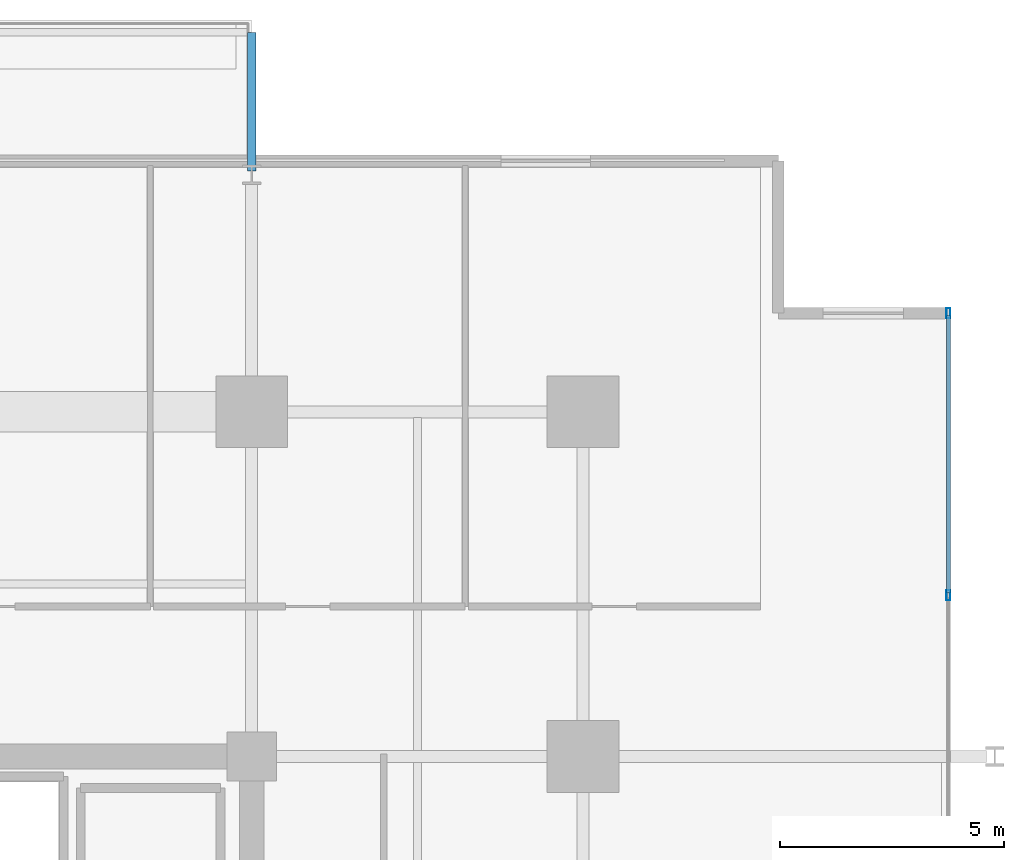
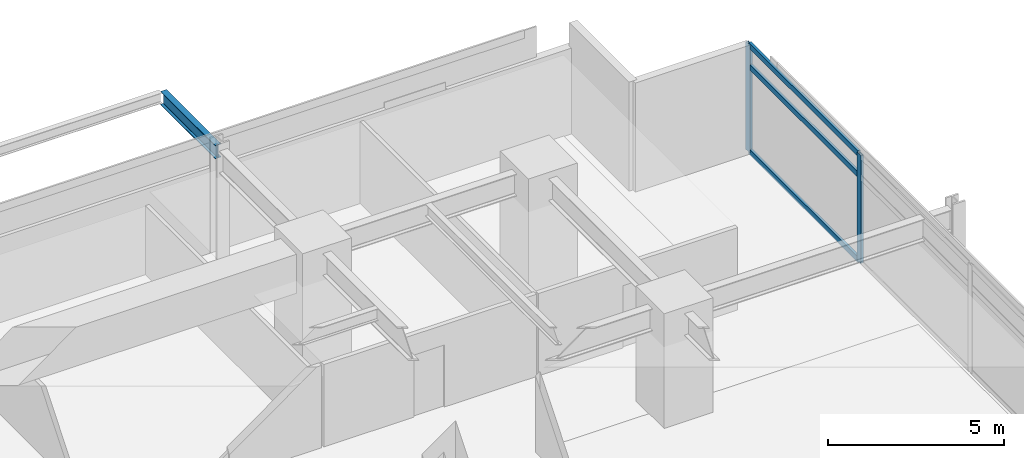
# One storey, part 13 of 23: 5 members, 1 beam, 1 element without a shape of its own.
"""IFC4 building model written with IfcOpenShell, lengths in metres."""

from ifc_helpers import new_model, si_unit, direction, frame, origin, origin_2d, place, context, subcontext, project, spatial, hollow_rectangle, i_section, extrude, material, material_profile, profile_set, type_object, element, aggregate, save


model = new_model("IFC4")

# Units and contexts
model_context = context("Model", 3, precision=1e-05, world=origin(), true_north=direction((0.0, 1.0)))
body_context = subcontext(model_context, "Body", "Model", "MODEL_VIEW")
ifc_project = project(units=[si_unit("LENGTHUNIT", "METRE"), si_unit("AREAUNIT", "SQUARE_METRE"), si_unit("VOLUMEUNIT", "CUBIC_METRE"), si_unit("PLANEANGLEUNIT", "RADIAN"), si_unit("MASSUNIT", "GRAM", prefix="KILO")], contexts=[model_context])

# Site, building, storey
site_placement = place(None, origin())
site = spatial("IfcSite", under=ifc_project, at=site_placement, CompositionType="ELEMENT")
building_placement = place(site_placement, origin())
building = spatial("IfcBuilding", under=site, at=building_placement, Name="Kovane Verandah Tower", CompositionType="ELEMENT")
storey_placement = place(building_placement, frame((0.0, 0.0, 148.39990234375)))
storey = spatial("IfcBuildingStorey", under=building, at=storey_placement, Name="L34", CompositionType="ELEMENT", Elevation=148.39990234375)

# Curtain wall, members
ifc_material_1 = material(Name="Champagne Anodised Aluminium Frame with Low-E Clear Laminated Glass", Category="aluminium")
curtain_wall_type = type_object("IfcCurtainWallType", Name="CW-SYS-03-MID", PredefinedType="NOTDEFINED", material=ifc_material_1)
curtain_wall_placement = place(storey_placement, origin())
curtain_wall = element("IfcCurtainWall", 1, at=curtain_wall_placement, inside=storey, type_object=curtain_wall_type, Name="L34 E Unitised Curtain Wall", PredefinedType="NOTDEFINED")
ifc_material_2 = material(Name="Champagne Anodised Aluminium 6063-T6", Category="aluminium")
ifc_material_profile_1 = material_profile(ifc_material_2, hollow_rectangle(XDim=0.0849609375, YDim=0.22998046875, WallThickness=0.00390625, at=origin_2d()), Name="AL85x230x4")
ifc_profile_set_1 = profile_set([ifc_material_profile_1], Name="Champagne Anodised Aluminium 6063-T6")
member_type_1 = type_object("IfcMemberType", Name="CW-MUL-85x230", PredefinedType="MULLION", material=ifc_profile_set_1)
member_1_placement = place(storey_placement, frame((66.5634765625, 40.102294921875, 0.02001953125), z_axis=(0.0, 0.0, 1.0), x_axis=(1.0, 0.0, 0.0)))
member_1 = element("IfcMember", 2, at=member_1_placement, type_object=member_type_1, Name="L34 E Unitised Curtain Wall Mullion 6", PredefinedType="MULLION", context=body_context, shape_type="SweptSolid", body=[
    extrude(hollow_rectangle(XDim=0.0849609375, YDim=0.22998046875, WallThickness=0.00390625, at=origin_2d()), origin(), (0.0, 0.0, 1.0), 3.735107421875),
])
member_2_placement = place(storey_placement, frame((66.5634765625, 46.403564453125, 0.02001953125), z_axis=(0.0, 0.0, 1.0), x_axis=(1.0, 0.0, 0.0)))
member_2 = element("IfcMember", 3, at=member_2_placement, type_object=member_type_1, Name="L34 E Unitised Curtain Wall Mullion 7", PredefinedType="MULLION", context=body_context, shape_type="SweptSolid", body=[
    extrude(hollow_rectangle(XDim=0.0849609375, YDim=0.22998046875, WallThickness=0.00390625, at=origin_2d()), origin(), (0.0, 0.0, 1.0), 3.735107421875),
])
ifc_material_profile_2 = material_profile(ifc_material_2, hollow_rectangle(XDim=0.0849609375, YDim=0.18994140625, WallThickness=0.00390625, at=origin_2d()), Name="AL85x190x4")
ifc_profile_set_2 = profile_set([ifc_material_profile_2], Name="Champagne Anodised Aluminium 6063-T6")
member_type_2 = type_object("IfcMemberType", Name="CW-TRN-85x190", PredefinedType="USERDEFINED", material=ifc_profile_set_2)
member_3_placement = place(storey_placement, frame((66.5634765625, 40.15234375, 0.050048828125), z_axis=(0.0, 1.0, 0.0), x_axis=(-1.0, 0.0, 0.0)))
member_3 = element("IfcMember", 4, at=member_3_placement, type_object=member_type_2, Name="L34 E Unitised Curtain Wall Transom TB Bay 6", ObjectType="TRANSOM", PredefinedType="USERDEFINED", context=body_context, shape_type="SweptSolid", body=[
    extrude(hollow_rectangle(XDim=0.0849609375, YDim=0.18994140625, WallThickness=0.00390625, at=origin_2d()), origin(), (0.0, 0.0, 1.0), 6.201171875),
])
member_4_placement = place(storey_placement, frame((66.5634765625, 40.15234375, 2.9951171875), z_axis=(0.0, 1.0, 0.0), x_axis=(-1.0, 0.0, 0.0)))
member_4 = element("IfcMember", 5, at=member_4_placement, type_object=member_type_2, Name="L34 E Unitised Curtain Wall Transom TM Bay 6", ObjectType="TRANSOM", PredefinedType="USERDEFINED", context=body_context, shape_type="SweptSolid", body=[
    extrude(hollow_rectangle(XDim=0.0849609375, YDim=0.18994140625, WallThickness=0.00390625, at=origin_2d()), origin(), (0.0, 0.0, 1.0), 6.201171875),
])
member_5_placement = place(storey_placement, frame((66.5634765625, 40.15234375, 3.72509765625), z_axis=(0.0, 1.0, 0.0), x_axis=(-1.0, 0.0, 0.0)))
member_5 = element("IfcMember", 6, at=member_5_placement, type_object=member_type_2, Name="L34 E Unitised Curtain Wall Transom TT Bay 6", ObjectType="TRANSOM", PredefinedType="USERDEFINED", context=body_context, shape_type="SweptSolid", body=[
    extrude(hollow_rectangle(XDim=0.0849609375, YDim=0.18994140625, WallThickness=0.00390625, at=origin_2d()), origin(), (0.0, 0.0, 1.0), 6.201171875),
])
aggregate(curtain_wall, [member_1, member_2, member_3, member_4, member_5])

# Beam
ifc_material_3 = material(Name="Steel S355", Category="steel")
ifc_material_profile_3 = material_profile(ifc_material_3, i_section(OverallWidth=0.19287109375, OverallDepth=0.46728515625, WebThickness=0.011474609375, FlangeThickness=0.01953125, FilletRadius=0.01025390625, at=origin_2d()), Name="UB457x191x98")
ifc_profile_set_3 = profile_set([ifc_material_profile_3], Name="Steel S355")
beam_type = type_object("IfcBeamType", Name="JST-UB457x98", PredefinedType="JOIST", material=ifc_profile_set_3)
beam_placement = place(storey_placement, frame((51.0, 49.580078125, 3.526611328125), z_axis=(0.0, 1.0, 0.0), x_axis=(-1.0, 0.0, 0.0)))
element("IfcBeam", 7, at=beam_placement, inside=storey, type_object=beam_type, Name="L34 North Planter Girder 2", PredefinedType="JOIST", context=body_context, shape_type="SweptSolid", body=[
    extrude(i_section(OverallWidth=0.19287109375, OverallDepth=0.46728515625, WebThickness=0.011474609375, FlangeThickness=0.01953125, FilletRadius=0.01025390625, at=origin_2d()), origin(), (0.0, 0.0, 1.0), 3.09716796875),
])

save(model, "model.ifc")
